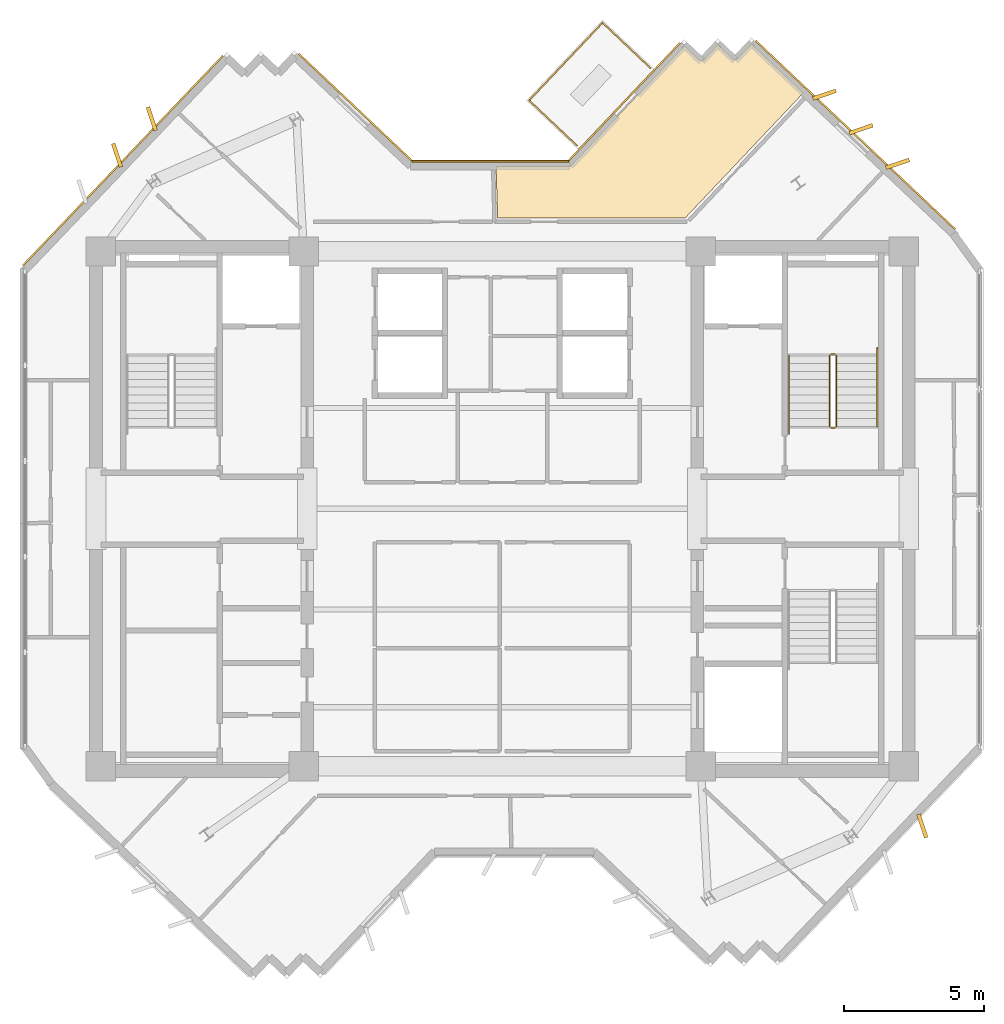
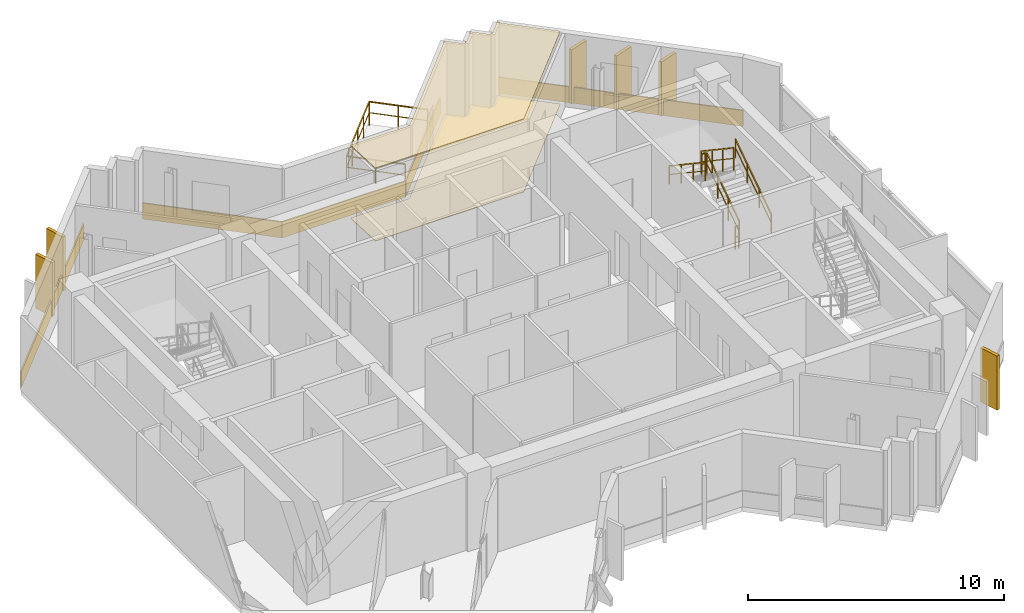
# One storey, part 9 of 9: 13 coverings, 9 railings.
"""IFC4 building model written with IfcOpenShell, lengths in metres."""

from ifc_helpers import new_model, si_unit, direction, frame, origin, origin_2d, place, context, subcontext, project, spatial, polyline, rectangle, outline, extrude, source, transform, mapped, material, layer, layer_set, type_object, element, save


model = new_model("IFC4")

# Units and contexts
model_context = context("Model", 3, precision=1e-05, world=origin(), true_north=direction((0.0, 1.0)))
body_context = subcontext(model_context, "Body", "Model", "MODEL_VIEW")
ifc_project = project(units=[si_unit("LENGTHUNIT", "METRE"), si_unit("AREAUNIT", "SQUARE_METRE"), si_unit("VOLUMEUNIT", "CUBIC_METRE"), si_unit("PLANEANGLEUNIT", "RADIAN"), si_unit("MASSUNIT", "GRAM", prefix="KILO")], contexts=[model_context])

# Site, building, storey
site_placement = place(None, origin())
site = spatial("IfcSite", under=ifc_project, at=site_placement, CompositionType="ELEMENT")
building_placement = place(site_placement, origin())
building = spatial("IfcBuilding", under=site, at=building_placement, Name="Zahravan Cultural Tower", CompositionType="ELEMENT")
storey_placement = place(building_placement, frame((0.0, 0.0, 306.60009765625)))
storey = spatial("IfcBuildingStorey", under=building, at=storey_placement, Name="L74", CompositionType="ELEMENT", Elevation=306.60009765625)

# Coverings
ifc_material_1 = material(Name="Acoustic mineral fibreboard")
ifc_layer_1 = layer(ifc_material_1, 0.0400390625)
ifc_layer_set_1 = layer_set([ifc_layer_1], Name="Acoustic mineral fibreboard")
covering_type_1 = type_object("IfcCoveringType", Name="COV-CEIL-AC20", PredefinedType="CEILING", material=ifc_layer_set_1)
covering_1_placement = place(storey_placement, frame((0.0, 0.0, 3.4599609375)))
element("IfcCovering", 1, at=covering_1_placement, inside=storey, type_object=covering_type_1, Name="L74 Acoustic Suspended Ceiling", PredefinedType="CEILING", context=body_context, shape_type="SweptSolid", body=[
    extrude(outline(polyline([(44.910888671875, 43.62060546875), (44.431396484375, 43.11328125), (44.38671875, 43.08154296875), (44.3251953125, 43.0673828125), (44.262939453125, 43.077880859375), (44.21630859375, 43.107177734375), (43.709228515625, 43.58642578125), (43.22021484375, 43.069580078125), (43.1552734375, 43.03662109375), (43.076171875, 43.0380859375), (43.01611328125, 43.072021484375), (42.5078125, 43.552490234375), (38.4736328125, 39.2841796875), (38.427001953125, 39.25146484375), (38.37109375, 39.239990234375), (35.775390625, 39.239990234375), (35.8359375, 37.39990234375), (42.54052734375, 37.39990234375), (46.76416015625, 41.868896484375), (44.910888671875, 43.62060546875)])), origin(), (0.0, 0.0, 1.0), 0.0400390625),
])
ifc_material_2 = material(Name="Terrazzo flooring")
ifc_layer_2 = layer(ifc_material_2, 0.02490234375)
ifc_layer_set_2 = layer_set([ifc_layer_2], Name="Terrazzo flooring")
covering_type_2 = type_object("IfcCoveringType", Name="COV-FLR-TZ25", PredefinedType="FLOORING", material=ifc_layer_set_2)
covering_2_placement = place(storey_placement, origin())
element("IfcCovering", 2, at=covering_2_placement, inside=storey, type_object=covering_type_2, Name="L74 Polished Terrazzo Flooring", PredefinedType="FLOORING", context=body_context, shape_type="SweptSolid", body=[
    extrude(outline(polyline([(44.910888671875, 43.62060546875), (44.431396484375, 43.11328125), (44.38671875, 43.08154296875), (44.3251953125, 43.0673828125), (44.262939453125, 43.077880859375), (44.21630859375, 43.107177734375), (43.709228515625, 43.58642578125), (43.22021484375, 43.069580078125), (43.1552734375, 43.03662109375), (43.076171875, 43.0380859375), (43.01611328125, 43.072021484375), (42.5078125, 43.552490234375), (38.4736328125, 39.2841796875), (38.427001953125, 39.25146484375), (38.37109375, 39.239990234375), (35.775390625, 39.239990234375), (35.8359375, 37.39990234375), (42.54052734375, 37.39990234375), (46.76416015625, 41.868896484375), (44.910888671875, 43.62060546875)])), origin(), (0.0, 0.0, 1.0), 0.02490234375),
])

# Railings
ifc_material_3 = material(Name="Steel ASTM A572 Grade 50", Category="steel")
railing_type_1 = type_object("IfcRailingType", Name="RL-BAL-1150", PredefinedType="BALUSTRADE", material=ifc_material_3)
railing_1_placement = place(storey_placement, frame((36.960205078125, 41.599365234375, 0.0)))
element("IfcRailing", 3, at=railing_1_placement, inside=storey, type_object=railing_type_1, Name="L74 Edge Balustrade GRD-TR-L74-NE-01", PredefinedType="BALUSTRADE", context=body_context, shape_type="SweptSolid", body=[
    extrude(rectangle(XDim=0.05, YDim=0.05, at=origin_2d()), frame((0.0, 0.0, 1.125), z_axis=(0.686918114737, 0.726734823472, 0.0), x_axis=(-0.726734823472, 0.686918114737, 0.0)), (0.0, 0.0, 1.0), 3.820068359375),
    extrude(rectangle(XDim=0.032, YDim=0.032, at=origin_2d()), frame((0.0, 0.0, 0.597900390625), z_axis=(0.686918114737, 0.726734823472, 0.0), x_axis=(-0.726734823472, 0.686918114737, 0.0)), (0.0, 0.0, 1.0), 3.820068359375),
    extrude(rectangle(XDim=0.04, YDim=0.04, at=origin_2d()), origin(), (0.0, 0.0, 1.0), 1.14990234375),
    extrude(rectangle(XDim=0.04, YDim=0.04, at=origin_2d()), frame((0.656005859375, 0.694091796875, 0.0)), (0.0, 0.0, 1.0), 1.14990234375),
    extrude(rectangle(XDim=0.04, YDim=0.04, at=origin_2d()), frame((1.31201171875, 1.38818359375, 0.0)), (0.0, 0.0, 1.0), 1.14990234375),
    extrude(rectangle(XDim=0.04, YDim=0.04, at=origin_2d()), frame((1.968017578125, 2.08203125, 0.0)), (0.0, 0.0, 1.0), 1.14990234375),
    extrude(rectangle(XDim=0.04, YDim=0.04, at=origin_2d()), frame((2.6240234375, 2.776123046875, 0.0)), (0.0, 0.0, 1.0), 1.14990234375),
])
railing_2_placement = place(storey_placement, frame((39.584228515625, 44.37548828125, 0.0)))
element("IfcRailing", 4, at=railing_2_placement, inside=storey, type_object=railing_type_1, Name="L74 Edge Balustrade GRD-TR-L74-NE-02", PredefinedType="BALUSTRADE", context=body_context, shape_type="SweptSolid", body=[
    extrude(rectangle(XDim=0.05, YDim=0.05, at=origin_2d()), frame((0.0, 0.0, 1.125), z_axis=(0.726773954161, -0.686876713504, 0.0), x_axis=(0.686876713504, 0.726773954161, 0.0)), (0.0, 0.0, 1.0), 2.349853515625),
    extrude(rectangle(XDim=0.032, YDim=0.032, at=origin_2d()), frame((0.0, 0.0, 0.597900390625), z_axis=(0.726773954161, -0.686876713504, 0.0), x_axis=(0.686876713504, 0.726773954161, 0.0)), (0.0, 0.0, 1.0), 2.349853515625),
    extrude(rectangle(XDim=0.04, YDim=0.04, at=origin_2d()), origin(), (0.0, 0.0, 1.0), 1.14990234375),
    extrude(rectangle(XDim=0.04, YDim=0.04, at=origin_2d()), frame((0.85400390625, -0.80712890625, 0.0)), (0.0, 0.0, 1.0), 1.14990234375),
    extrude(rectangle(XDim=0.04, YDim=0.04, at=origin_2d()), frame((1.707763671875, -1.614013671875, 0.0)), (0.0, 0.0, 1.0), 1.14990234375),
])
railing_3_placement = place(storey_placement, frame((38.668212890625, 39.985107421875, 0.0)))
element("IfcRailing", 5, at=railing_3_placement, inside=storey, type_object=railing_type_1, Name="L74 Edge Balustrade GRD-TR-L74-NE-03", PredefinedType="BALUSTRADE", context=body_context, shape_type="SweptSolid", body=[
    extrude(rectangle(XDim=0.05, YDim=0.05, at=origin_2d()), frame((0.0, 0.0, 1.125), z_axis=(-0.726771107272, 0.686879725741, 0.0), x_axis=(-0.686879725741, -0.726771107272, 0.0)), (0.0, 0.0, 1.0), 2.35009765625),
    extrude(rectangle(XDim=0.032, YDim=0.032, at=origin_2d()), frame((0.0, 0.0, 0.597900390625), z_axis=(-0.726771107272, 0.686879725741, 0.0), x_axis=(-0.686879725741, -0.726771107272, 0.0)), (0.0, 0.0, 1.0), 2.35009765625),
    extrude(rectangle(XDim=0.04, YDim=0.04, at=origin_2d()), origin(), (0.0, 0.0, 1.0), 1.14990234375),
    extrude(rectangle(XDim=0.04, YDim=0.04, at=origin_2d()), frame((-0.85400390625, 0.80712890625, 0.0)), (0.0, 0.0, 1.0), 1.14990234375),
    extrude(rectangle(XDim=0.04, YDim=0.04, at=origin_2d()), frame((-1.7080078125, 1.6142578125, 0.0)), (0.0, 0.0, 1.0), 1.14990234375),
])
railing_type_2 = type_object("IfcRailingType", Name="RL-STAIR-GRD1150", PredefinedType="BALUSTRADE", material=ifc_material_3)
railing_4_placement = place(storey_placement, frame((47.949951171875, 29.949951171875, 0.1875)))
element("IfcRailing", 6, at=railing_4_placement, inside=storey, type_object=railing_type_2, Name="L74 ST-E1 stair guard 1", PredefinedType="BALUSTRADE", context=body_context, shape_type="SweptSolid", body=[
    extrude(rectangle(XDim=0.05, YDim=0.05, at=origin_2d()), frame((0.0, 0.0, 1.0751953125), z_axis=(0.0, 0.830909170722, 0.55640807867), x_axis=(-1.0, 0.0, 0.0)), (0.0, 0.0, 1.0), 3.032958984375),
    extrude(rectangle(XDim=0.032, YDim=0.032, at=origin_2d()), frame((0.0, 0.0, 0.572021484375), z_axis=(0.0, 0.830909170722, 0.55640807867), x_axis=(-1.0, 0.0, 0.0)), (0.0, 0.0, 1.0), 3.032958984375),
    extrude(rectangle(XDim=0.04, YDim=0.04, at=origin_2d()), origin(), (0.0, 0.0, 1.0), 1.10009765625),
    extrude(rectangle(XDim=0.04, YDim=0.04, at=origin_2d()), frame((0.0, 0.840087890625, 0.5625)), (0.0, 0.0, 1.0), 1.10009765625),
    extrude(rectangle(XDim=0.04, YDim=0.04, at=origin_2d()), frame((0.0, 1.679931640625, 1.125)), (0.0, 0.0, 1.0), 1.10009765625),
    extrude(rectangle(XDim=0.04, YDim=0.04, at=origin_2d()), frame((0.0, 2.52001953125, 1.6875)), (0.0, 0.0, 1.0), 1.10009765625),
])
railing_5_placement = place(storey_placement, frame((47.89990234375, 32.52001953125, 1.875)))
element("IfcRailing", 7, at=railing_5_placement, inside=storey, type_object=railing_type_2, Name="L74 ST-E1 stair guard 2", PredefinedType="BALUSTRADE", context=body_context, shape_type="SweptSolid", body=[
    extrude(rectangle(XDim=0.05, YDim=0.05, at=origin_2d()), frame((0.0, 0.0, 1.0751953125), z_axis=(-1.0, 0.0, 0.0), x_axis=(0.0, -1.0, 0.0)), (0.0, 0.0, 1.0), 0.14990234375),
    extrude(rectangle(XDim=0.032, YDim=0.032, at=origin_2d()), frame((0.0, 0.0, 0.572021484375), z_axis=(-1.0, 0.0, 0.0), x_axis=(0.0, -1.0, 0.0)), (0.0, 0.0, 1.0), 0.14990234375),
    extrude(rectangle(XDim=0.04, YDim=0.04, at=origin_2d()), origin(), (0.0, 0.0, 1.0), 1.10009765625),
    extrude(rectangle(XDim=0.04, YDim=0.04, at=origin_2d()), frame((-0.14990234375, 0.0, 0.0)), (0.0, 0.0, 1.0), 1.10009765625),
])
railing_6_placement = place(storey_placement, frame((47.699951171875, 32.469970703125, 2.0625)))
element("IfcRailing", 8, at=railing_6_placement, inside=storey, type_object=railing_type_2, Name="L74 ST-E1 stair guard 3", PredefinedType="BALUSTRADE", context=body_context, shape_type="SweptSolid", body=[
    extrude(rectangle(XDim=0.05, YDim=0.05, at=origin_2d()), frame((0.0, 0.0, 1.0751953125), z_axis=(0.0, -0.830909170722, 0.55640807867), x_axis=(1.0, 0.0, 0.0)), (0.0, 0.0, 1.0), 3.032958984375),
    extrude(rectangle(XDim=0.032, YDim=0.032, at=origin_2d()), frame((0.0, 0.0, 0.572021484375), z_axis=(0.0, -0.830909170722, 0.55640807867), x_axis=(1.0, 0.0, 0.0)), (0.0, 0.0, 1.0), 3.032958984375),
    extrude(rectangle(XDim=0.04, YDim=0.04, at=origin_2d()), origin(), (0.0, 0.0, 1.0), 1.10009765625),
    extrude(rectangle(XDim=0.04, YDim=0.04, at=origin_2d()), frame((0.0, -0.840087890625, 0.5625)), (0.0, 0.0, 1.0), 1.10009765625),
    extrude(rectangle(XDim=0.04, YDim=0.04, at=origin_2d()), frame((0.0, -1.679931640625, 1.125)), (0.0, 0.0, 1.0), 1.10009765625),
    extrude(rectangle(XDim=0.04, YDim=0.04, at=origin_2d()), frame((0.0, -2.52001953125, 1.6875)), (0.0, 0.0, 1.0), 1.10009765625),
])
railing_7_placement = place(storey_placement, frame((47.89990234375, 29.89990234375, 0.0)))
element("IfcRailing", 9, at=railing_7_placement, inside=storey, type_object=railing_type_2, Name="L74 ST-E1 stair guard 4", PredefinedType="BALUSTRADE", context=body_context, shape_type="SweptSolid", body=[
    extrude(rectangle(XDim=0.05, YDim=0.05, at=origin_2d()), frame((0.0, 0.0, 1.0751953125), z_axis=(-1.0, 0.0, 0.0), x_axis=(0.0, -1.0, 0.0)), (0.0, 0.0, 1.0), 0.14990234375),
    extrude(rectangle(XDim=0.032, YDim=0.032, at=origin_2d()), frame((0.0, 0.0, 0.572021484375), z_axis=(-1.0, 0.0, 0.0), x_axis=(0.0, -1.0, 0.0)), (0.0, 0.0, 1.0), 0.14990234375),
    extrude(rectangle(XDim=0.04, YDim=0.04, at=origin_2d()), origin(), (0.0, 0.0, 1.0), 1.10009765625),
    extrude(rectangle(XDim=0.04, YDim=0.04, at=origin_2d()), frame((-0.14990234375, 0.0, 0.0)), (0.0, 0.0, 1.0), 1.10009765625),
])
railing_type_3 = type_object("IfcRailingType", Name="RL-STAIR-HR900", PredefinedType="HANDRAIL", material=ifc_material_3)
railing_8_placement = place(storey_placement, frame((49.39990234375, 29.949951171875, 0.1875)))
element("IfcRailing", 10, at=railing_8_placement, inside=storey, type_object=railing_type_3, Name="L74 ST-E1 stair handrail 1", PredefinedType="HANDRAIL", context=body_context, shape_type="SweptSolid", body=[
    extrude(rectangle(XDim=0.05, YDim=0.05, at=origin_2d()), frame((0.0, 0.0, 0.875), z_axis=(0.0, 0.830911662861, 0.55640435703), x_axis=(-1.0, 0.0, 0.0)), (0.0, 0.0, 1.0), 3.369873046875),
    extrude(rectangle(XDim=0.032, YDim=0.032, at=origin_2d()), frame((0.0, 0.0, 0.468017578125), z_axis=(0.0, 0.830911662861, 0.55640435703), x_axis=(-1.0, 0.0, 0.0)), (0.0, 0.0, 1.0), 3.369873046875),
    extrude(rectangle(XDim=0.04, YDim=0.04, at=origin_2d()), origin(), (0.0, 0.0, 1.0), 0.89990234375),
    extrude(rectangle(XDim=0.04, YDim=0.04, at=origin_2d()), frame((0.0, 0.933349609375, 0.625)), (0.0, 0.0, 1.0), 0.89990234375),
    extrude(rectangle(XDim=0.04, YDim=0.04, at=origin_2d()), frame((0.0, 1.86669921875, 1.25)), (0.0, 0.0, 1.0), 0.89990234375),
    extrude(rectangle(XDim=0.04, YDim=0.04, at=origin_2d()), frame((0.0, 2.800048828125, 1.875)), (0.0, 0.0, 1.0), 0.89990234375),
])
railing_9_placement = place(storey_placement, frame((46.25, 32.469970703125, 2.0625)))
element("IfcRailing", 11, at=railing_9_placement, inside=storey, type_object=railing_type_3, Name="L74 ST-E1 stair handrail 2", PredefinedType="HANDRAIL", context=body_context, shape_type="SweptSolid", body=[
    extrude(rectangle(XDim=0.05, YDim=0.05, at=origin_2d()), frame((0.0, 0.0, 0.875), z_axis=(0.0, -0.830911662861, 0.55640435703), x_axis=(1.0, 0.0, 0.0)), (0.0, 0.0, 1.0), 3.369873046875),
    extrude(rectangle(XDim=0.032, YDim=0.032, at=origin_2d()), frame((0.0, 0.0, 0.468017578125), z_axis=(0.0, -0.830911662861, 0.55640435703), x_axis=(1.0, 0.0, 0.0)), (0.0, 0.0, 1.0), 3.369873046875),
    extrude(rectangle(XDim=0.04, YDim=0.04, at=origin_2d()), origin(), (0.0, 0.0, 1.0), 0.89990234375),
    extrude(rectangle(XDim=0.04, YDim=0.04, at=origin_2d()), frame((0.0, -0.933349609375, 0.625)), (0.0, 0.0, 1.0), 0.89990234375),
    extrude(rectangle(XDim=0.04, YDim=0.04, at=origin_2d()), frame((0.0, -1.86669921875, 1.25)), (0.0, 0.0, 1.0), 0.89990234375),
    extrude(rectangle(XDim=0.04, YDim=0.04, at=origin_2d()), frame((0.0, -2.800048828125, 1.875)), (0.0, 0.0, 1.0), 0.89990234375),
])

# Coverings
ifc_material_4 = material(Name="Terracotta ceramic cladding", Category="masonry")
ifc_layer_3 = layer(ifc_material_4, 0.06005859375)
ifc_layer_set_3 = layer_set([ifc_layer_3], Name="Terracotta ceramic cladding")
covering_type_3 = type_object("IfcCoveringType", Name="COV-CLAD-TC60", PredefinedType="CLADDING", material=ifc_layer_set_3)
shared_shape_1 = source(origin(), body_context, "Body", "SweptSolid", [
    extrude(rectangle(XDim=9.820068359375, YDim=0.06005859375, at=origin_2d()), origin(), (0.0, 0.0, 1.0), 0.760009765625),
])
covering_3_placement = place(storey_placement, frame((48.628173828125, 40.36181640625, 0.02001953125), z_axis=(0.0, 0.0, 1.0), x_axis=(0.726766513668, -0.686884586092, 0.0)))
element("IfcCovering", 12, at=covering_3_placement, inside=storey, type_object=covering_type_3, Name="L74 Terracotta Spandrel Cladding 06", PredefinedType="CLADDING", context=body_context, shape_type="MappedRepresentation", body=[
    mapped(shared_shape_1, transform((0.0, 0.0, 0.0), x_axis=(1.0, 0.0, 0.0), y_axis=(0.0, 1.0, 0.0), z_axis=(0.0, 0.0, 1.0), scale=1.0)),
])
shared_shape_2 = source(origin(), body_context, "Body", "SweptSolid", [
    extrude(rectangle(XDim=0.8798828125, YDim=0.139892578125, at=origin_2d()), origin(), (0.0, 0.0, 1.0), 2.580078125),
])
for number, where, z_axis, x_axis, name in (
    (13, (47.515869140625, 41.805419921875, 0.0498046875), (0.0, 0.0, 1.0), (0.947679302814, 0.319223963727, 0.0), "L74 Herringbone Terracotta Fin 01"),
    (14, (48.823974609375, 40.56884765625, 0.0498046875), (0.0, 0.0, 1.0), (0.947679302814, 0.319223963727, 0.0), "L74 Herringbone Terracotta Fin 02"),
    (15, (50.132080078125, 39.33251953125, 0.0498046875), (0.0, 0.0, 1.0), (0.947679302814, 0.319223963727, 0.0), "L74 Herringbone Terracotta Fin 03"),
    (16, (51.015380859375, 15.661376953125, 0.0498046875), (0.0, 0.0, 1.0), (0.315069342719, -0.949068653617, 0.0), "L74 Herringbone Terracotta Fin 04"),
    (17, (22.226806640625, 39.641357421875, 0.0498046875), (0.0, 0.0, 1.0), (-0.315069342719, 0.949068653617, 0.0), "L74 Herringbone Terracotta Fin 17"),
    (18, (23.468994140625, 40.944091796875, 0.0498046875), (0.0, 0.0, 1.0), (-0.315069342719, 0.949068653617, 0.0), "L74 Herringbone Terracotta Fin 18"),
):
    element("IfcCovering", number, at=place(storey_placement, frame(where, z_axis=z_axis, x_axis=x_axis)), inside=storey, type_object=covering_type_3, Name=name, PredefinedType="CLADDING", context=body_context, shape_type="MappedRepresentation", body=[
        mapped(shared_shape_2, transform((0.0, 0.0, 0.0), x_axis=(1.0, 0.0, 0.0), y_axis=(0.0, 1.0, 0.0), z_axis=(0.0, 0.0, 1.0), scale=1.0)),
    ])
shared_shape_3 = source(origin(), body_context, "Body", "SweptSolid", [
    extrude(rectangle(XDim=5.84521484375, YDim=0.06005859375, at=origin_2d()), origin(), (0.0, 0.0, 1.0), 0.760009765625),
])
covering_4_placement = place(storey_placement, frame((40.34521484375, 41.53369140625, 0.02001953125), z_axis=(0.0, 0.0, 1.0), x_axis=(0.686871901519, 0.726778501955, 0.0)))
element("IfcCovering", 19, at=covering_4_placement, inside=storey, type_object=covering_type_3, Name="L74 Terracotta Spandrel Cladding 01", PredefinedType="CLADDING", context=body_context, shape_type="MappedRepresentation", body=[
    mapped(shared_shape_3, transform((0.0, 0.0, 0.0), x_axis=(1.0, 0.0, 0.0), y_axis=(0.0, 1.0, 0.0), z_axis=(0.0, 0.0, 1.0), scale=1.0)),
])
shared_shape_4 = source(origin(), body_context, "Body", "SweptSolid", [
    extrude(rectangle(XDim=10.3701171875, YDim=0.06005859375, at=origin_2d()), origin(), (0.0, 0.0, 1.0), 0.760009765625),
])
covering_5_placement = place(storey_placement, frame((22.43310546875, 39.444580078125, 0.02001953125), z_axis=(0.0, 0.0, 1.0), x_axis=(0.690061786457, 0.723750461742, 0.0)))
element("IfcCovering", 20, at=covering_5_placement, inside=storey, type_object=covering_type_3, Name="L74 Terracotta Spandrel Cladding 22", PredefinedType="CLADDING", context=body_context, shape_type="MappedRepresentation", body=[
    mapped(shared_shape_4, transform((0.0, 0.0, 0.0), x_axis=(1.0, 0.0, 0.0), y_axis=(0.0, 1.0, 0.0), z_axis=(0.0, 0.0, 1.0), scale=1.0)),
])
shared_shape_5 = source(origin(), body_context, "Body", "SweptSolid", [
    extrude(rectangle(XDim=5.617919921875, YDim=0.06005859375, at=origin_2d()), origin(), (0.0, 0.0, 1.0), 0.760009765625),
])
covering_6_placement = place(storey_placement, frame((30.759521484375, 41.34375, 0.02001953125), z_axis=(0.0, 0.0, 1.0), x_axis=(0.726766513668, -0.686884586092, 0.0)))
element("IfcCovering", 21, at=covering_6_placement, inside=storey, type_object=covering_type_3, Name="L74 Terracotta Spandrel Cladding 27", PredefinedType="CLADDING", context=body_context, shape_type="MappedRepresentation", body=[
    mapped(shared_shape_5, transform((0.0, 0.0, 0.0), x_axis=(1.0, 0.0, 0.0), y_axis=(0.0, 1.0, 0.0), z_axis=(0.0, 0.0, 1.0), scale=1.0)),
])
shared_shape_6 = source(origin(), body_context, "Body", "SweptSolid", [
    extrude(rectangle(XDim=5.599365234375, YDim=0.06005859375, at=origin_2d()), origin(), (0.0, 0.0, 1.0), 0.760009765625),
])
covering_7_placement = place(storey_placement, frame((35.573486328125, 39.425048828125, 0.02001953125), z_axis=(0.0, 0.0, 1.0), x_axis=(1.0, 0.0, 0.0)))
element("IfcCovering", 22, at=covering_7_placement, inside=storey, type_object=covering_type_3, Name="L74 Terracotta Spandrel Cladding 28", PredefinedType="CLADDING", context=body_context, shape_type="MappedRepresentation", body=[
    mapped(shared_shape_6, transform((0.0, 0.0, 0.0), x_axis=(1.0, 0.0, 0.0), y_axis=(0.0, 1.0, 0.0), z_axis=(0.0, 0.0, 1.0), scale=1.0)),
])

save(model, "model.ifc")
